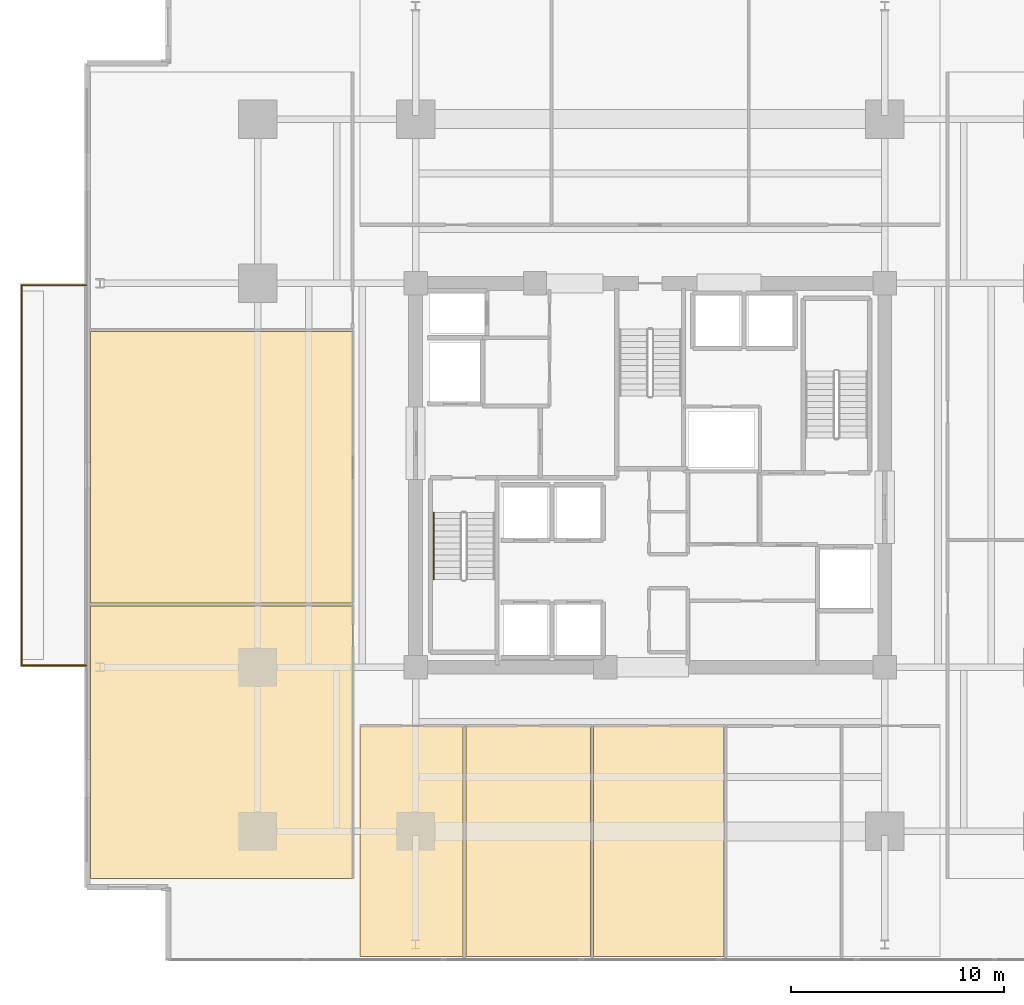
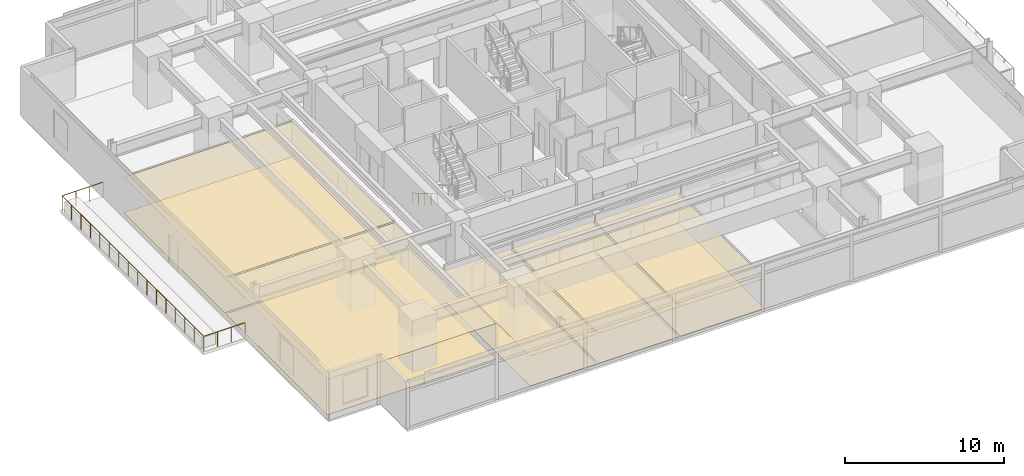
# One storey, part 20 of 23: 10 coverings, 2 railings.
"""IFC4 building model written with IfcOpenShell, lengths in metres."""

from ifc_helpers import new_model, si_unit, direction, frame, origin, origin_2d, place, context, subcontext, project, spatial, polyline, circle, outline, extrude, material, layer, layer_set, type_object, element, save


model = new_model("IFC4")

# Units and contexts
model_context = context("Model", 3, precision=1e-05, world=origin(), true_north=direction((0.0, 1.0)))
body_context = subcontext(model_context, "Body", "Model", "MODEL_VIEW")
ifc_project = project(units=[si_unit("LENGTHUNIT", "METRE"), si_unit("AREAUNIT", "SQUARE_METRE"), si_unit("VOLUMEUNIT", "CUBIC_METRE"), si_unit("PLANEANGLEUNIT", "RADIAN"), si_unit("MASSUNIT", "GRAM", prefix="KILO")], contexts=[model_context])

# Site, building, storey
site_placement = place(None, origin())
site = spatial("IfcSite", under=ifc_project, at=site_placement, CompositionType="ELEMENT")
building_placement = place(site_placement, origin())
building = spatial("IfcBuilding", under=site, at=building_placement, Name="Kovane Verandah Tower", CompositionType="ELEMENT")
storey_placement = place(building_placement, frame((0.0, 0.0, 103.60009765625)))
storey = spatial("IfcBuildingStorey", under=building, at=storey_placement, Name="L24", CompositionType="ELEMENT", Elevation=103.60009765625)

# Coverings
ifc_material_1 = material(Name="Perforated Acoustic Mineral-Fibre Ceiling Tile", Category="gypsum")
ifc_layer_1 = layer(ifc_material_1, 0.02490234375)
ifc_layer_set_1 = layer_set([ifc_layer_1], Name="Perforated Acoustic Mineral-Fibre Ceiling Tile")
covering_type_1 = type_object("IfcCoveringType", Name="CV-CEIL-25", PredefinedType="CEILING", material=ifc_layer_set_1)
covering_1_placement = place(storey_placement, frame((0.0, 0.0, 2.304931640625)))
element("IfcCovering", 1, at=covering_1_placement, inside=storey, type_object=covering_type_1, Name="L24 Meeting Room S1 Acoustic Ceiling", PredefinedType="CEILING", context=body_context, shape_type="SweptSolid", body=[
    extrude(outline(polyline([(26.39990234375, 4.930908203125), (31.22607421875, 4.930908203125), (31.22607421875, 15.75), (26.39990234375, 15.75), (26.39990234375, 4.930908203125)])), origin(), (0.0, 0.0, 1.0), 0.02490234375),
])
covering_2_placement = place(storey_placement, frame((0.0, 0.0, 2.304931640625)))
element("IfcCovering", 2, at=covering_2_placement, inside=storey, type_object=covering_type_1, Name="L24 Focus Studio S2 Acoustic Ceiling", PredefinedType="CEILING", context=body_context, shape_type="SweptSolid", body=[
    extrude(outline(polyline([(31.365966796875, 4.930908203125), (37.2099609375, 4.930908203125), (37.2099609375, 15.75), (31.365966796875, 15.75), (31.365966796875, 4.930908203125)])), origin(), (0.0, 0.0, 1.0), 0.02490234375),
])
covering_3_placement = place(storey_placement, frame((0.0, 0.0, 2.304931640625)))
element("IfcCovering", 3, at=covering_3_placement, inside=storey, type_object=covering_type_1, Name="L24 Breakout Pantry S3 Acoustic Ceiling", PredefinedType="CEILING", context=body_context, shape_type="SweptSolid", body=[
    extrude(outline(polyline([(37.35009765625, 4.930908203125), (43.466064453125, 4.930908203125), (43.466064453125, 15.75), (37.35009765625, 15.75), (37.35009765625, 4.930908203125)])), origin(), (0.0, 0.0, 1.0), 0.02490234375),
])
covering_4_placement = place(storey_placement, frame((0.0, 0.0, 2.728271484375)))
element("IfcCovering", 4, at=covering_4_placement, inside=storey, type_object=covering_type_1, Name="L24 Open Plan Office W1 Acoustic Ceiling", PredefinedType="CEILING", context=body_context, shape_type="SweptSolid", body=[
    extrude(outline(polyline([(13.75146484375, 8.5810546875), (26.050048828125, 8.5810546875), (26.050048828125, 21.3759765625), (13.75146484375, 21.3759765625), (13.75146484375, 8.5810546875)])), origin(), (0.0, 0.0, 1.0), 0.025146484375),
])
covering_5_placement = place(storey_placement, frame((0.0, 0.0, 2.728271484375)))
element("IfcCovering", 5, at=covering_5_placement, inside=storey, type_object=covering_type_1, Name="L24 Executive Office W2 Acoustic Ceiling", PredefinedType="CEILING", context=body_context, shape_type="SweptSolid", body=[
    extrude(outline(polyline([(13.75146484375, 21.515869140625), (26.050048828125, 21.515869140625), (26.050048828125, 34.24072265625), (13.75146484375, 34.24072265625), (13.75146484375, 21.515869140625)])), origin(), (0.0, 0.0, 1.0), 0.025146484375),
])
ifc_material_2 = material(Name="Polished Terrazzo and Raised-Access Carpet Tile Finish", Category="concrete")
ifc_layer_2 = layer(ifc_material_2, 0.030029296875)
ifc_layer_set_2 = layer_set([ifc_layer_2], Name="Polished Terrazzo and Raised-Access Carpet Tile Finish")
covering_type_2 = type_object("IfcCoveringType", Name="CV-FLOR-30", PredefinedType="FLOORING", material=ifc_layer_set_2)
covering_6_placement = place(storey_placement, origin())
element("IfcCovering", 6, at=covering_6_placement, inside=storey, type_object=covering_type_2, Name="L24 Meeting Room S1 Floor Finish", PredefinedType="FLOORING", context=body_context, shape_type="SweptSolid", body=[
    extrude(outline(polyline([(26.39990234375, 4.930908203125), (31.22607421875, 4.930908203125), (31.22607421875, 15.75), (26.39990234375, 15.75), (26.39990234375, 4.930908203125)])), origin(), (0.0, 0.0, 1.0), 0.02978515625),
])
covering_7_placement = place(storey_placement, origin())
element("IfcCovering", 7, at=covering_7_placement, inside=storey, type_object=covering_type_2, Name="L24 Focus Studio S2 Floor Finish", PredefinedType="FLOORING", context=body_context, shape_type="SweptSolid", body=[
    extrude(outline(polyline([(31.365966796875, 4.930908203125), (37.2099609375, 4.930908203125), (37.2099609375, 15.75), (31.365966796875, 15.75), (31.365966796875, 4.930908203125)])), origin(), (0.0, 0.0, 1.0), 0.02978515625),
])
covering_8_placement = place(storey_placement, origin())
element("IfcCovering", 8, at=covering_8_placement, inside=storey, type_object=covering_type_2, Name="L24 Breakout Pantry S3 Floor Finish", PredefinedType="FLOORING", context=body_context, shape_type="SweptSolid", body=[
    extrude(outline(polyline([(37.35009765625, 4.930908203125), (43.466064453125, 4.930908203125), (43.466064453125, 15.75), (37.35009765625, 15.75), (37.35009765625, 4.930908203125)])), origin(), (0.0, 0.0, 1.0), 0.02978515625),
])
covering_9_placement = place(storey_placement, origin())
element("IfcCovering", 9, at=covering_9_placement, inside=storey, type_object=covering_type_2, Name="L24 Open Plan Office W1 Floor Finish", PredefinedType="FLOORING", context=body_context, shape_type="SweptSolid", body=[
    extrude(outline(polyline([(13.75146484375, 8.5810546875), (26.050048828125, 8.5810546875), (26.050048828125, 21.3759765625), (13.75146484375, 21.3759765625), (13.75146484375, 8.5810546875)])), origin(), (0.0, 0.0, 1.0), 0.02978515625),
])
covering_10_placement = place(storey_placement, origin())
element("IfcCovering", 10, at=covering_10_placement, inside=storey, type_object=covering_type_2, Name="L24 Executive Office W2 Floor Finish", PredefinedType="FLOORING", context=body_context, shape_type="SweptSolid", body=[
    extrude(outline(polyline([(13.75146484375, 21.515869140625), (26.050048828125, 21.515869140625), (26.050048828125, 34.24072265625), (13.75146484375, 34.24072265625), (13.75146484375, 21.515869140625)])), origin(), (0.0, 0.0, 1.0), 0.02978515625),
])

# Railings
ifc_material_3 = material(Name="Laminated Glass and Pale-Champagne Stainless Balustrade", Category="glass")
railing_type_1 = type_object("IfcRailingType", Name="RL-BAL-1150", PredefinedType="BALUSTRADE", material=ifc_material_3)
railing_1_placement = place(storey_placement, frame((13.551513671875, 18.580078125, 0.0)))
element("IfcRailing", 11, at=railing_1_placement, inside=storey, type_object=railing_type_1, Name="L24 W Verandah Glass Balustrade", PredefinedType="BALUSTRADE", context=body_context, shape_type="SweptSolid", body=[
    extrude(circle(Radius=0.02392578125, at=origin_2d()), frame((0.0, 0.0, 1.1259765625), z_axis=(-1.0, 0.0, 0.0), x_axis=(0.0, -1.0, 0.0)), (0.0, 0.0, 1.0), 3.02001953125),
    extrude(circle(Radius=0.02392578125, at=origin_2d()), frame((-3.02001953125, 0.0, 1.1259765625), z_axis=(0.0, 1.0, 0.0), x_axis=(-1.0, 0.0, 0.0)), (0.0, 0.0, 1.0), 17.83984375),
    extrude(circle(Radius=0.02392578125, at=origin_2d()), frame((-3.02001953125, 17.83984375, 1.1259765625), z_axis=(1.0, 0.0, 0.0), x_axis=(0.0, 1.0, 0.0)), (0.0, 0.0, 1.0), 3.02001953125),
    extrude(circle(Radius=0.02099609375, at=origin_2d()), origin(), (0.0, 0.0, 1.0), 1.101806640625),
    extrude(circle(Radius=0.02099609375, at=origin_2d()), frame((-1.006591796875, 0.0, 0.0)), (0.0, 0.0, 1.0), 1.101806640625),
    extrude(circle(Radius=0.02099609375, at=origin_2d()), frame((-2.013427734375, 0.0, 0.0)), (0.0, 0.0, 1.0), 1.101806640625),
    extrude(circle(Radius=0.02099609375, at=origin_2d()), frame((-3.02001953125, 0.0, 0.0)), (0.0, 0.0, 1.0), 1.101806640625),
    extrude(circle(Radius=0.02099609375, at=origin_2d()), frame((-3.02001953125, 1.189208984375, 0.0)), (0.0, 0.0, 1.0), 1.101806640625),
    extrude(circle(Radius=0.02099609375, at=origin_2d()), frame((-3.02001953125, 2.378662109375, 0.0)), (0.0, 0.0, 1.0), 1.101806640625),
    extrude(circle(Radius=0.02099609375, at=origin_2d()), frame((-3.02001953125, 3.56787109375, 0.0)), (0.0, 0.0, 1.0), 1.101806640625),
    extrude(circle(Radius=0.02099609375, at=origin_2d()), frame((-3.02001953125, 4.75732421875, 0.0)), (0.0, 0.0, 1.0), 1.101806640625),
    extrude(circle(Radius=0.02099609375, at=origin_2d()), frame((-3.02001953125, 5.946533203125, 0.0)), (0.0, 0.0, 1.0), 1.101806640625),
    extrude(circle(Radius=0.02099609375, at=origin_2d()), frame((-3.02001953125, 7.135986328125, 0.0)), (0.0, 0.0, 1.0), 1.101806640625),
    extrude(circle(Radius=0.02099609375, at=origin_2d()), frame((-3.02001953125, 8.3251953125, 0.0)), (0.0, 0.0, 1.0), 1.101806640625),
    extrude(circle(Radius=0.02099609375, at=origin_2d()), frame((-3.02001953125, 9.5146484375, 0.0)), (0.0, 0.0, 1.0), 1.101806640625),
    extrude(circle(Radius=0.02099609375, at=origin_2d()), frame((-3.02001953125, 10.703857421875, 0.0)), (0.0, 0.0, 1.0), 1.101806640625),
    extrude(circle(Radius=0.02099609375, at=origin_2d()), frame((-3.02001953125, 11.893310546875, 0.0)), (0.0, 0.0, 1.0), 1.101806640625),
    extrude(circle(Radius=0.02099609375, at=origin_2d()), frame((-3.02001953125, 13.08251953125, 0.0)), (0.0, 0.0, 1.0), 1.101806640625),
    extrude(circle(Radius=0.02099609375, at=origin_2d()), frame((-3.02001953125, 14.27197265625, 0.0)), (0.0, 0.0, 1.0), 1.101806640625),
    extrude(circle(Radius=0.02099609375, at=origin_2d()), frame((-3.02001953125, 15.461181640625, 0.0)), (0.0, 0.0, 1.0), 1.101806640625),
    extrude(circle(Radius=0.02099609375, at=origin_2d()), frame((-3.02001953125, 16.650634765625, 0.0)), (0.0, 0.0, 1.0), 1.101806640625),
    extrude(circle(Radius=0.02099609375, at=origin_2d()), frame((-3.02001953125, 17.83984375, 0.0)), (0.0, 0.0, 1.0), 1.101806640625),
    extrude(circle(Radius=0.02099609375, at=origin_2d()), frame((-2.013427734375, 17.83984375, 0.0)), (0.0, 0.0, 1.0), 1.101806640625),
    extrude(circle(Radius=0.02099609375, at=origin_2d()), frame((-1.006591796875, 17.83984375, 0.0)), (0.0, 0.0, 1.0), 1.101806640625),
    extrude(circle(Radius=0.02099609375, at=origin_2d()), frame((0.0, 17.83984375, 0.0)), (0.0, 0.0, 1.0), 1.101806640625),
])
ifc_material_4 = material(Name="Brushed Stainless Steel Handrail", Category="steel")
railing_type_2 = type_object("IfcRailingType", Name="RL-HAND-920", PredefinedType="HANDRAIL", material=ifc_material_4)
railing_2_placement = place(storey_placement, frame((29.85009765625, 25.75, 0.16650390625)))
element("IfcRailing", 12, at=railing_2_placement, inside=storey, type_object=railing_type_2, Name="L24 ST-01 stair handrail 1", PredefinedType="HANDRAIL", context=body_context, shape_type="SweptSolid", body=[
    extrude(circle(Radius=0.02392578125, at=origin_2d()), frame((0.0, 0.0, 0.8759765625), z_axis=(0.0, -0.863210265497, 0.504844567704), x_axis=(1.0, 0.0, 0.0)), (0.0, 0.0, 1.0), 3.6318359375),
    extrude(circle(Radius=0.02099609375, at=origin_2d()), origin(), (0.0, 0.0, 1.0), 0.851806640625),
    extrude(circle(Radius=0.02099609375, at=origin_2d()), frame((0.0, -0.78369140625, 0.45849609375)), (0.0, 0.0, 1.0), 0.851806640625),
    extrude(circle(Radius=0.02099609375, at=origin_2d()), frame((0.0, -1.5673828125, 0.916748046875)), (0.0, 0.0, 1.0), 0.851806640625),
    extrude(circle(Radius=0.02099609375, at=origin_2d()), frame((0.0, -2.351318359375, 1.375)), (0.0, 0.0, 1.0), 0.851806640625),
    extrude(circle(Radius=0.02099609375, at=origin_2d()), frame((0.0, -3.135009765625, 1.83349609375)), (0.0, 0.0, 1.0), 0.851806640625),
])

save(model, "model.ifc")
